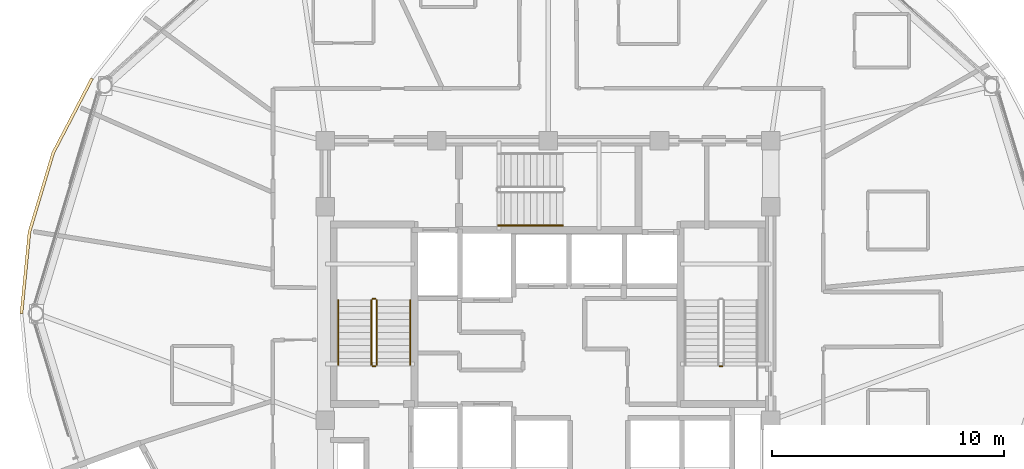
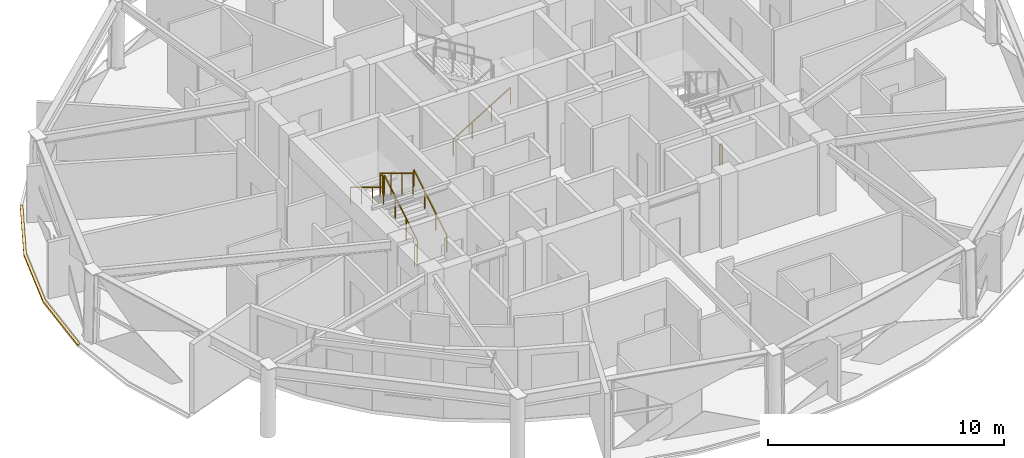
# One storey, part 16 of 18: 8 railings, 1 covering.
"""IFC4 building model written with IfcOpenShell, lengths in metres."""

from ifc_helpers import new_model, si_unit, direction, frame, origin, origin_2d, place, context, subcontext, project, spatial, polyline, rectangle, outline, extrude, material, layer, layer_set, type_object, element, save


model = new_model("IFC4")

# Units and contexts
model_context = context("Model", 3, precision=1e-05, world=origin(), true_north=direction((0.0, 1.0)))
body_context = subcontext(model_context, "Body", "Model", "MODEL_VIEW")
ifc_project = project(units=[si_unit("LENGTHUNIT", "METRE"), si_unit("AREAUNIT", "SQUARE_METRE"), si_unit("VOLUMEUNIT", "CUBIC_METRE"), si_unit("PLANEANGLEUNIT", "RADIAN"), si_unit("MASSUNIT", "GRAM", prefix="KILO")], contexts=[model_context])

# Site, building, storey
site_placement = place(None, origin())
site = spatial("IfcSite", under=ifc_project, at=site_placement, CompositionType="ELEMENT")
building_placement = place(site_placement, origin())
building = spatial("IfcBuilding", under=site, at=building_placement, Name="Vantalir Tower", CompositionType="ELEMENT")
storey_placement = place(building_placement, frame((0.0, 0.0, 216.14990234375)))
storey = spatial("IfcBuildingStorey", under=building, at=storey_placement, Name="L54", CompositionType="ELEMENT", Elevation=216.14990234375)

# Covering
ifc_material_1 = material(Name="Anodised champagne aluminium sill fascia", Category="aluminium")
ifc_layer = layer(ifc_material_1, 0.125)
ifc_layer_set = layer_set([ifc_layer], Name="Anodised champagne aluminium sill fascia")
covering_type = type_object("IfcCoveringType", Name="COV-SLAB-FASCIA-125", PredefinedType="CLADDING", material=ifc_layer_set)
covering_placement = place(storey_placement, frame((0.0, 0.0, -0.179931640625)))
element("IfcCovering", 1, at=covering_placement, inside=storey, type_object=covering_type, Name="L54 Perimeter Slab-Edge Sill Fascia 06", PredefinedType="CLADDING", context=body_context, shape_type="SweptSolid", body=[
    extrude(outline(polyline([(11.7880859375, 35.16796875), (10.111083984375, 31.955078125), (9.083984375, 28.531005859375), (8.738037109375, 25.0), (8.863037109375, 25.0), (9.20703125, 28.510009765625), (10.22802734375, 31.9130859375), (11.89599609375, 35.10498046875), (11.7880859375, 35.16796875)])), origin(), (0.0, 0.0, 1.0), 0.10498046875),
])

# Railings
ifc_material_2 = material(Name="Anodised aluminium and stainless steel guard", Category="steel")
railing_type_1 = type_object("IfcRailingType", Name="RAL-GUARD-1120", PredefinedType="GUARDRAIL", material=ifc_material_2)
railing_1_placement = place(storey_placement, frame((24.110107421875, 22.7900390625, 0.170654296875)))
element("IfcRailing", 2, at=railing_1_placement, inside=storey, type_object=railing_type_1, Name="L54 ST1 stair guard 1", PredefinedType="GUARDRAIL", context=body_context, shape_type="SweptSolid", body=[
    extrude(rectangle(XDim=0.048095703125, YDim=0.048095703125, at=origin_2d()), frame((0.0, 0.0, 1.09619140625), z_axis=(0.0, 0.854202870247, 0.519939858505), x_axis=(-1.0, 0.0, 0.0)), (0.0, 0.0, 1.0), 3.278076171875),
    extrude(rectangle(XDim=0.0419921875, YDim=0.0419921875, at=origin_2d()), origin(), (0.0, 0.0, 1.0), 1.072021484375),
    extrude(rectangle(XDim=0.0419921875, YDim=0.0419921875, at=origin_2d()), frame((0.0, 0.933349609375, 0.568115234375)), (0.0, 0.0, 1.0), 1.072021484375),
    extrude(rectangle(XDim=0.0419921875, YDim=0.0419921875, at=origin_2d()), frame((0.0, 1.86669921875, 1.13623046875)), (0.0, 0.0, 1.0), 1.072021484375),
    extrude(rectangle(XDim=0.0419921875, YDim=0.0419921875, at=origin_2d()), frame((0.0, 2.800048828125, 1.704345703125)), (0.0, 0.0, 1.0), 1.072021484375),
])
railing_2_placement = place(storey_placement, frame((24.06005859375, 25.639892578125, 1.875)))
element("IfcRailing", 3, at=railing_2_placement, inside=storey, type_object=railing_type_1, Name="L54 ST1 stair guard 2", PredefinedType="GUARDRAIL", context=body_context, shape_type="SweptSolid", body=[
    extrude(rectangle(XDim=0.048095703125, YDim=0.048095703125, at=origin_2d()), frame((0.0, 0.0, 1.09619140625), z_axis=(-1.0, 0.0, 0.0), x_axis=(0.0, -1.0, 0.0)), (0.0, 0.0, 1.0), 0.1201171875),
    extrude(rectangle(XDim=0.0419921875, YDim=0.0419921875, at=origin_2d()), origin(), (0.0, 0.0, 1.0), 1.072021484375),
    extrude(rectangle(XDim=0.0419921875, YDim=0.0419921875, at=origin_2d()), frame((-0.1201171875, 0.0, 0.0)), (0.0, 0.0, 1.0), 1.072021484375),
])
railing_3_placement = place(storey_placement, frame((23.889892578125, 25.590087890625, 2.045654296875)))
element("IfcRailing", 4, at=railing_3_placement, inside=storey, type_object=railing_type_1, Name="L54 ST1 stair guard 3", PredefinedType="GUARDRAIL", context=body_context, shape_type="SweptSolid", body=[
    extrude(rectangle(XDim=0.048095703125, YDim=0.048095703125, at=origin_2d()), frame((0.0, 0.0, 1.09619140625), z_axis=(0.0, -0.854202870247, 0.519939858505), x_axis=(1.0, 0.0, 0.0)), (0.0, 0.0, 1.0), 3.278076171875),
    extrude(rectangle(XDim=0.0419921875, YDim=0.0419921875, at=origin_2d()), origin(), (0.0, 0.0, 1.0), 1.072021484375),
    extrude(rectangle(XDim=0.0419921875, YDim=0.0419921875, at=origin_2d()), frame((0.0, -0.933349609375, 0.568115234375)), (0.0, 0.0, 1.0), 1.072021484375),
    extrude(rectangle(XDim=0.0419921875, YDim=0.0419921875, at=origin_2d()), frame((0.0, -1.86669921875, 1.13623046875)), (0.0, 0.0, 1.0), 1.072021484375),
    extrude(rectangle(XDim=0.0419921875, YDim=0.0419921875, at=origin_2d()), frame((0.0, -2.800048828125, 1.704345703125)), (0.0, 0.0, 1.0), 1.072021484375),
])
for number, where, name in (
    (5, (24.06005859375, 22.739990234375, 0.0), "L54 ST1 stair guard 4"),
    (6, (39.010009765625, 22.739990234375, 0.0), "L54 ST2 stair guard 4"),
):
    element("IfcRailing", number, at=place(storey_placement, frame(where)), inside=storey, type_object=railing_type_1, Name=name, PredefinedType="GUARDRAIL", context=body_context, shape_type="SweptSolid", body=[
        extrude(rectangle(XDim=0.048095703125, YDim=0.048095703125, at=origin_2d()), frame((0.0, 0.0, 1.09619140625), z_axis=(-1.0, 0.0, 0.0), x_axis=(0.0, -1.0, 0.0)), (0.0, 0.0, 1.0), 0.1201171875),
        extrude(rectangle(XDim=0.0419921875, YDim=0.0419921875, at=origin_2d()), origin(), (0.0, 0.0, 1.0), 1.072021484375),
        extrude(rectangle(XDim=0.0419921875, YDim=0.0419921875, at=origin_2d()), frame((-0.1201171875, 0.0, 0.0)), (0.0, 0.0, 1.0), 1.072021484375),
    ])
ifc_material_3 = material(Name="Brushed stainless steel tubular handrail", Category="steel")
railing_type_2 = type_object("IfcRailingType", Name="RAL-HANDRAIL-900", PredefinedType="HANDRAIL", material=ifc_material_3)
railing_4_placement = place(storey_placement, frame((25.550048828125, 22.7900390625, 0.170654296875)))
element("IfcRailing", 7, at=railing_4_placement, inside=storey, type_object=railing_type_2, Name="L54 ST1 stair handrail 1", PredefinedType="HANDRAIL", context=body_context, shape_type="SweptSolid", body=[
    extrude(rectangle(XDim=0.048095703125, YDim=0.048095703125, at=origin_2d()), frame((0.0, 0.0, 0.8759765625), z_axis=(0.0, 0.854202870247, 0.519939858505), x_axis=(-1.0, 0.0, 0.0)), (0.0, 0.0, 1.0), 3.278076171875),
    extrude(rectangle(XDim=0.0419921875, YDim=0.0419921875, at=origin_2d()), origin(), (0.0, 0.0, 1.0), 0.851806640625),
    extrude(rectangle(XDim=0.0419921875, YDim=0.0419921875, at=origin_2d()), frame((0.0, 0.933349609375, 0.568115234375)), (0.0, 0.0, 1.0), 0.851806640625),
    extrude(rectangle(XDim=0.0419921875, YDim=0.0419921875, at=origin_2d()), frame((0.0, 1.86669921875, 1.13623046875)), (0.0, 0.0, 1.0), 0.851806640625),
    extrude(rectangle(XDim=0.0419921875, YDim=0.0419921875, at=origin_2d()), frame((0.0, 2.800048828125, 1.704345703125)), (0.0, 0.0, 1.0), 0.851806640625),
])
railing_5_placement = place(storey_placement, frame((22.449951171875, 25.590087890625, 2.045654296875)))
element("IfcRailing", 8, at=railing_5_placement, inside=storey, type_object=railing_type_2, Name="L54 ST1 stair handrail 2", PredefinedType="HANDRAIL", context=body_context, shape_type="SweptSolid", body=[
    extrude(rectangle(XDim=0.048095703125, YDim=0.048095703125, at=origin_2d()), frame((0.0, 0.0, 0.8759765625), z_axis=(0.0, -0.854202870247, 0.519939858505), x_axis=(1.0, 0.0, 0.0)), (0.0, 0.0, 1.0), 3.278076171875),
    extrude(rectangle(XDim=0.0419921875, YDim=0.0419921875, at=origin_2d()), origin(), (0.0, 0.0, 1.0), 0.851806640625),
    extrude(rectangle(XDim=0.0419921875, YDim=0.0419921875, at=origin_2d()), frame((0.0, -0.933349609375, 0.568115234375)), (0.0, 0.0, 1.0), 0.851806640625),
    extrude(rectangle(XDim=0.0419921875, YDim=0.0419921875, at=origin_2d()), frame((0.0, -1.86669921875, 1.13623046875)), (0.0, 0.0, 1.0), 0.851806640625),
    extrude(rectangle(XDim=0.0419921875, YDim=0.0419921875, at=origin_2d()), frame((0.0, -2.800048828125, 1.704345703125)), (0.0, 0.0, 1.0), 0.851806640625),
])
railing_6_placement = place(storey_placement, frame((29.340087890625, 28.800048828125, 0.170654296875)))
element("IfcRailing", 9, at=railing_6_placement, inside=storey, type_object=railing_type_2, Name="L54 ST3 stair handrail 1", PredefinedType="HANDRAIL", context=body_context, shape_type="SweptSolid", body=[
    extrude(rectangle(XDim=0.048095703125, YDim=0.048095703125, at=origin_2d()), frame((0.0, 0.0, 0.8759765625), z_axis=(0.854182733786, 0.0, 0.519972939009), x_axis=(0.0, 1.0, 0.0)), (0.0, 0.0, 1.0), 3.27783203125),
    extrude(rectangle(XDim=0.0419921875, YDim=0.0419921875, at=origin_2d()), origin(), (0.0, 0.0, 1.0), 0.851806640625),
    extrude(rectangle(XDim=0.0419921875, YDim=0.0419921875, at=origin_2d()), frame((0.933349609375, 0.0, 0.568115234375)), (0.0, 0.0, 1.0), 0.851806640625),
    extrude(rectangle(XDim=0.0419921875, YDim=0.0419921875, at=origin_2d()), frame((1.866455078125, 0.0, 1.13623046875)), (0.0, 0.0, 1.0), 0.851806640625),
    extrude(rectangle(XDim=0.0419921875, YDim=0.0419921875, at=origin_2d()), frame((2.7998046875, 0.0, 1.704345703125)), (0.0, 0.0, 1.0), 0.851806640625),
])

save(model, "model.ifc")
